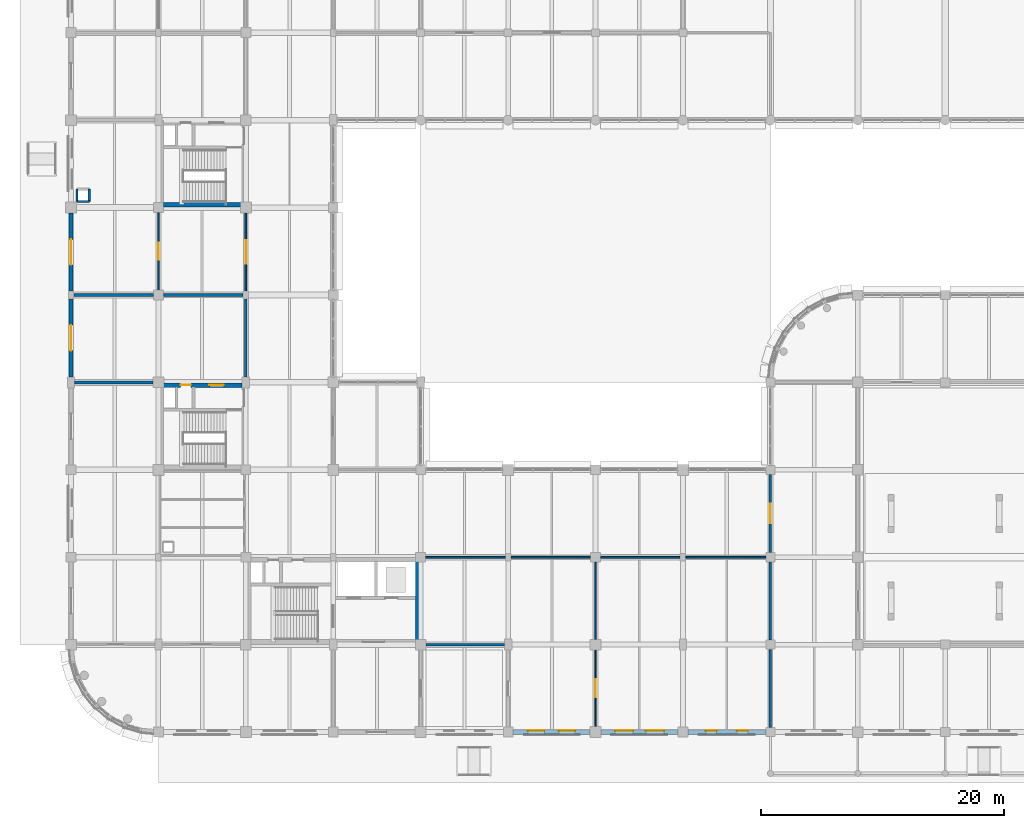
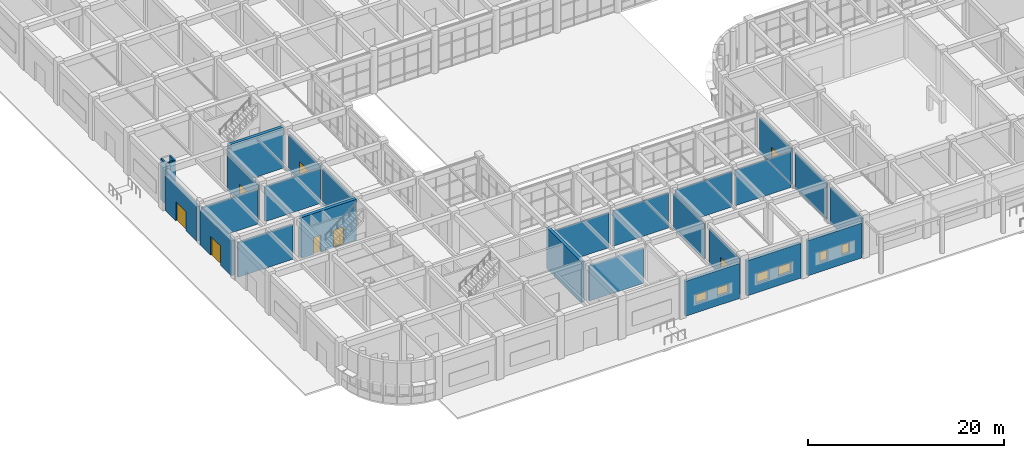
# One storey, part 135 of 160: 27 walls, 8 doors, 6 windows, 14 openings.
"""IFC4 building model written with IfcOpenShell, lengths in metres."""

from ifc_helpers import new_model, si_unit, direction, frame, frame_2d, origin, place, context, subcontext, project, spatial, rectangle, extrude, material, layer, layer_set, type_object, element, fill, save


model = new_model("IFC4")

# Units and contexts
model_context = context("Model", 3, precision=1e-05, world=origin(), true_north=direction((0.0, 1.0)))
body_context = subcontext(model_context, "Body", "Model", "MODEL_VIEW")
ifc_project = project(units=[si_unit("LENGTHUNIT", "METRE"), si_unit("AREAUNIT", "SQUARE_METRE"), si_unit("VOLUMEUNIT", "CUBIC_METRE"), si_unit("PLANEANGLEUNIT", "RADIAN"), si_unit("MASSUNIT", "GRAM", prefix="KILO")], contexts=[model_context])

# Site, building, storey
site_placement = place(None, origin())
site = spatial("IfcSite", under=ifc_project, at=site_placement, CompositionType="ELEMENT")
building_placement = place(site_placement, origin())
building = spatial("IfcBuilding", under=site, at=building_placement, Name="Thalmaran Polytechnic", CompositionType="ELEMENT")
storey_placement = place(building_placement, origin())
storey = spatial("IfcBuildingStorey", under=building, at=storey_placement, Name="L00", CompositionType="ELEMENT", Elevation=0.0)

# Wall, opening, door
ifc_material_1 = material(Name="Precast concrete C40/50", Category="concrete")
ifc_layer_1 = layer(ifc_material_1, 0.360107421875, Name="Precast concrete C40/50")
ifc_layer_set_1 = layer_set([ifc_layer_1], Name="Precast concrete C40/50")
wall_type_1 = type_object("IfcWallType", Name="WL-EW01", PredefinedType="STANDARD", material=ifc_layer_set_1)
wall_1_placement = place(storey_placement, frame((0.0, 29.25, 0.0), z_axis=(0.0, 0.0, 1.0), x_axis=(0.0, 1.0, 0.0)))
wall_1 = element("IfcWall", 1, at=wall_1_placement, inside=storey, type_object=wall_type_1, Name="Ground Entrance Portal Wall L00-005", PredefinedType="STANDARD", context=body_context, shape_type="SweptSolid", body=[
    extrude(rectangle(XDim=6.425048828125, YDim=0.360107421875, at=frame_2d((3.21240234375, 0.0))), origin(), (0.0, 0.0, 1.0), 4.3349609375),
])
opening_1_placement = place(wall_1_placement, frame((2.16259765625, 0.0, 0.0)))
opening_1 = element("IfcOpeningElement", 2, at=opening_1_placement, cuts=wall_1, Name="Opening ED-26", PredefinedType="OPENING", context=body_context, shape_type="SweptSolid", body=[
    extrude(rectangle(XDim=2.10009765625, YDim=2.39990234375, at=frame_2d((1.050048828125, 1.199951171875))), frame((0.0, 0.18994140625, 0.0), z_axis=(0.0, -1.0, 0.0), x_axis=(1.0, 0.0, 0.0)), (0.0, 0.0, 1.0), 0.380126953125),
])
ifc_material_2 = material(Name="Anodised aluminium and safety glass", Category="aluminium")
door_type_1 = type_object("IfcDoorType", Name="DR-ED01", OperationType="NOTDEFINED", PredefinedType="DOOR", material=ifc_material_2)
door_1_placement = place(opening_1_placement, origin())
door_1 = element("IfcDoor", 3, at=door_1_placement, inside=storey, type_object=door_type_1, Name="Pedestrian Final Exit Door ED-26", OperationType="DOUBLE_DOOR_SINGLE_SWING", OverallHeight=2.39990234375, OverallWidth=2.10009765625, PredefinedType="DOOR", context=body_context, shape_type="SweptSolid", body=[
    extrude(rectangle(XDim=2.10009765625, YDim=2.39990234375, at=frame_2d((1.050048828125, 1.199951171875))), frame((0.0, 0.02490234375, 0.0), z_axis=(0.0, -1.0, 0.0), x_axis=(1.0, 0.0, 0.0)), (0.0, 0.0, 1.0), 0.050048828125),
])
fill(opening_1, door_1)

wall_2_placement = place(storey_placement, frame((0.0, 36.324951171875, 0.0), z_axis=(0.0, 0.0, 1.0), x_axis=(0.0, 1.0, 0.0)))
wall_2 = element("IfcWall", 4, at=wall_2_placement, inside=storey, type_object=wall_type_1, Name="Ground Entrance Portal Wall L00-006", PredefinedType="STANDARD", context=body_context, shape_type="SweptSolid", body=[
    extrude(rectangle(XDim=6.425048828125, YDim=0.360107421875, at=frame_2d((3.21240234375, 0.0))), origin(), (0.0, 0.0, 1.0), 4.3349609375),
])
opening_2_placement = place(wall_2_placement, frame((2.16259765625, 0.0, 0.0)))
opening_2 = element("IfcOpeningElement", 5, at=opening_2_placement, cuts=wall_2, Name="Opening ED-03", PredefinedType="OPENING", context=body_context, shape_type="SweptSolid", body=[
    extrude(rectangle(XDim=2.10009765625, YDim=2.39990234375, at=frame_2d((1.050048828125, 1.199951171875))), frame((0.0, 0.18994140625, 0.0), z_axis=(0.0, -1.0, 0.0), x_axis=(1.0, 0.0, 0.0)), (0.0, 0.0, 1.0), 0.380126953125),
])
door_2_placement = place(opening_2_placement, origin())
door_2 = element("IfcDoor", 6, at=door_2_placement, inside=storey, type_object=door_type_1, Name="Pedestrian Final Exit Door ED-03", OperationType="DOUBLE_DOOR_SINGLE_SWING", OverallHeight=2.39990234375, OverallWidth=2.10009765625, PredefinedType="DOOR", context=body_context, shape_type="SweptSolid", body=[
    extrude(rectangle(XDim=2.10009765625, YDim=2.39990234375, at=frame_2d((1.050048828125, 1.199951171875))), frame((0.0, 0.02490234375, 0.0), z_axis=(0.0, -1.0, 0.0), x_axis=(1.0, 0.0, 0.0)), (0.0, 0.0, 1.0), 0.050048828125),
])
fill(opening_2, door_2)

# Wall, openings, windows
wall_3_placement = place(storey_placement, frame((57.22509765625, 0.0, 0.0), z_axis=(0.0, 0.0, 1.0), x_axis=(-1.0, 0.0, 0.0)))
wall_3 = element("IfcWall", 7, at=wall_3_placement, inside=storey, type_object=wall_type_1, Name="Exterior Precast Facade Wall L00-085", PredefinedType="STANDARD", context=body_context, shape_type="SweptSolid", body=[
    extrude(rectangle(XDim=6.425048828125, YDim=0.360107421875, at=frame_2d((3.21240234375, 0.0))), origin(), (0.0, 0.0, 1.0), 4.3701171875),
])
opening_3_placement = place(wall_3_placement, frame((1.4775390625, 0.0, 1.14990234375)))
opening_3 = element("IfcOpeningElement", 8, at=opening_3_placement, cuts=wall_3, Name="Opening PW13", PredefinedType="OPENING", context=body_context, shape_type="SweptSolid", body=[
    extrude(rectangle(XDim=0.89990234375, YDim=1.300048828125, at=frame_2d((0.449951171875, 0.64990234375))), frame((0.0, 0.18994140625, 0.0), z_axis=(0.0, -1.0, 0.0), x_axis=(1.0, 0.0, 0.0)), (0.0, 0.0, 1.0), 0.380126953125),
])
opening_4_placement = place(wall_3_placement, frame((4.047607421875, 0.0, 1.14990234375)))
opening_4 = element("IfcOpeningElement", 9, at=opening_4_placement, cuts=wall_3, Name="Opening PW13", PredefinedType="OPENING", context=body_context, shape_type="SweptSolid", body=[
    extrude(rectangle(XDim=0.89990234375, YDim=1.300048828125, at=frame_2d((0.449951171875, 0.64990234375))), frame((0.0, 0.18994140625, 0.0), z_axis=(0.0, -1.0, 0.0), x_axis=(1.0, 0.0, 0.0)), (0.0, 0.0, 1.0), 0.380126953125),
])
ifc_material_3 = material(Name="Thermally broken aluminium and double low-E glass", Category="aluminium")
window_type_1 = type_object("IfcWindowType", Name="WN-PW03", PartitioningType="SINGLE_PANEL", PredefinedType="WINDOW", material=ifc_material_3)
window_1_placement = place(opening_3_placement, origin())
window_1 = element("IfcWindow", 10, at=window_1_placement, inside=storey, type_object=window_type_1, Name="Deep-Set Solar-Screened Window W-0048", OverallHeight=1.300048828125, OverallWidth=0.89990234375, PartitioningType="SINGLE_PANEL", PredefinedType="WINDOW", context=body_context, shape_type="SweptSolid", body=[
    extrude(rectangle(XDim=0.89990234375, YDim=1.300048828125, at=frame_2d((0.449951171875, 0.64990234375))), frame((0.0, -0.080078125, 0.0), z_axis=(0.0, -1.0, 0.0), x_axis=(1.0, 0.0, 0.0)), (0.0, 0.0, 1.0), 0.06005859375),
])
fill(opening_3, window_1)
window_2_placement = place(opening_4_placement, origin())
window_2 = element("IfcWindow", 11, at=window_2_placement, inside=storey, type_object=window_type_1, Name="Deep-Set Solar-Screened Window W-0049", OverallHeight=1.300048828125, OverallWidth=0.89990234375, PartitioningType="SINGLE_PANEL", PredefinedType="WINDOW", context=body_context, shape_type="SweptSolid", body=[
    extrude(rectangle(XDim=0.89990234375, YDim=1.300048828125, at=frame_2d((0.449951171875, 0.64990234375))), frame((0.0, -0.080078125, 0.0), z_axis=(0.0, -1.0, 0.0), x_axis=(1.0, 0.0, 0.0)), (0.0, 0.0, 1.0), 0.06005859375),
])
fill(opening_4, window_2)

wall_4_placement = place(storey_placement, frame((50.0, 0.0, 0.0), z_axis=(0.0, 0.0, 1.0), x_axis=(-1.0, 0.0, 0.0)))
wall_4 = element("IfcWall", 12, at=wall_4_placement, inside=storey, type_object=wall_type_1, Name="Exterior Precast Facade Wall L00-086", PredefinedType="STANDARD", context=body_context, shape_type="SweptSolid", body=[
    extrude(rectangle(XDim=6.35009765625, YDim=0.360107421875, at=frame_2d((3.175048828125, 0.0))), origin(), (0.0, 0.0, 1.0), 4.3701171875),
])
opening_5_placement = place(wall_4_placement, frame((1.155029296875, 0.0, 1.14990234375)))
opening_5 = element("IfcOpeningElement", 13, at=opening_5_placement, cuts=wall_4, Name="Opening PW14", PredefinedType="OPENING", context=body_context, shape_type="SweptSolid", body=[
    extrude(rectangle(XDim=1.5, YDim=1.199951171875, at=frame_2d((0.75, 0.60009765625))), frame((0.0, 0.18994140625, 0.0), z_axis=(0.0, -1.0, 0.0), x_axis=(1.0, 0.0, 0.0)), (0.0, 0.0, 1.0), 0.380126953125),
])
opening_6_placement = place(wall_4_placement, frame((3.695068359375, 0.0, 1.14990234375)))
opening_6 = element("IfcOpeningElement", 14, at=opening_6_placement, cuts=wall_4, Name="Opening PW14", PredefinedType="OPENING", context=body_context, shape_type="SweptSolid", body=[
    extrude(rectangle(XDim=1.5, YDim=1.199951171875, at=frame_2d((0.75, 0.60009765625))), frame((0.0, 0.18994140625, 0.0), z_axis=(0.0, -1.0, 0.0), x_axis=(1.0, 0.0, 0.0)), (0.0, 0.0, 1.0), 0.380126953125),
])
window_type_2 = type_object("IfcWindowType", Name="WN-PW04", PartitioningType="DOUBLE_PANEL_VERTICAL", PredefinedType="WINDOW", material=ifc_material_3)
window_3_placement = place(opening_5_placement, origin())
window_3 = element("IfcWindow", 15, at=window_3_placement, inside=storey, type_object=window_type_2, Name="Deep-Set Solar-Screened Window W-0050", OverallHeight=1.199951171875, OverallWidth=1.5, PartitioningType="SINGLE_PANEL", PredefinedType="WINDOW", context=body_context, shape_type="SweptSolid", body=[
    extrude(rectangle(XDim=1.5, YDim=1.199951171875, at=frame_2d((0.75, 0.60009765625))), frame((0.0, -0.080078125, 0.0), z_axis=(0.0, -1.0, 0.0), x_axis=(1.0, 0.0, 0.0)), (0.0, 0.0, 1.0), 0.06005859375),
])
fill(opening_5, window_3)
window_4_placement = place(opening_6_placement, origin())
window_4 = element("IfcWindow", 16, at=window_4_placement, inside=storey, type_object=window_type_2, Name="Deep-Set Solar-Screened Window W-0051", OverallHeight=1.199951171875, OverallWidth=1.5, PartitioningType="SINGLE_PANEL", PredefinedType="WINDOW", context=body_context, shape_type="SweptSolid", body=[
    extrude(rectangle(XDim=1.5, YDim=1.199951171875, at=frame_2d((0.75, 0.60009765625))), frame((0.0, -0.080078125, 0.0), z_axis=(0.0, -1.0, 0.0), x_axis=(1.0, 0.0, 0.0)), (0.0, 0.0, 1.0), 0.06005859375),
])
fill(opening_6, window_4)

wall_5_placement = place(storey_placement, frame((42.75, 0.0, 0.0), z_axis=(0.0, 0.0, 1.0), x_axis=(-1.0, 0.0, 0.0)))
wall_5 = element("IfcWall", 17, at=wall_5_placement, inside=storey, type_object=wall_type_1, Name="Exterior Precast Facade Wall L00-087", PredefinedType="STANDARD", context=body_context, shape_type="SweptSolid", body=[
    extrude(rectangle(XDim=6.35009765625, YDim=0.360107421875, at=frame_2d((3.175048828125, 0.0))), origin(), (0.0, 0.0, 1.0), 4.3701171875),
])
opening_7_placement = place(wall_5_placement, frame((1.22998046875, 0.0, 1.14990234375)))
opening_7 = element("IfcOpeningElement", 18, at=opening_7_placement, cuts=wall_5, Name="Opening PW15", PredefinedType="OPENING", context=body_context, shape_type="SweptSolid", body=[
    extrude(rectangle(XDim=1.35009765625, YDim=1.10009765625, at=frame_2d((0.675048828125, 0.550048828125))), frame((0.0, 0.18994140625, 0.0), z_axis=(0.0, -1.0, 0.0), x_axis=(1.0, 0.0, 0.0)), (0.0, 0.0, 1.0), 0.380126953125),
])
opening_8_placement = place(wall_5_placement, frame((3.77001953125, 0.0, 1.14990234375)))
opening_8 = element("IfcOpeningElement", 19, at=opening_8_placement, cuts=wall_5, Name="Opening PW15", PredefinedType="OPENING", context=body_context, shape_type="SweptSolid", body=[
    extrude(rectangle(XDim=1.35009765625, YDim=1.10009765625, at=frame_2d((0.675048828125, 0.550048828125))), frame((0.0, 0.18994140625, 0.0), z_axis=(0.0, -1.0, 0.0), x_axis=(1.0, 0.0, 0.0)), (0.0, 0.0, 1.0), 0.380126953125),
])
window_type_3 = type_object("IfcWindowType", Name="WN-PW05", PartitioningType="SINGLE_PANEL", PredefinedType="WINDOW", material=ifc_material_3)
window_5_placement = place(opening_7_placement, origin())
window_5 = element("IfcWindow", 20, at=window_5_placement, inside=storey, type_object=window_type_3, Name="Deep-Set Solar-Screened Window W-0052", OverallHeight=1.10009765625, OverallWidth=1.35009765625, PartitioningType="SINGLE_PANEL", PredefinedType="WINDOW", context=body_context, shape_type="SweptSolid", body=[
    extrude(rectangle(XDim=1.35009765625, YDim=1.10009765625, at=frame_2d((0.675048828125, 0.550048828125))), frame((0.0, -0.080078125, 0.0), z_axis=(0.0, -1.0, 0.0), x_axis=(1.0, 0.0, 0.0)), (0.0, 0.0, 1.0), 0.06005859375),
])
fill(opening_7, window_5)
window_6_placement = place(opening_8_placement, origin())
window_6 = element("IfcWindow", 21, at=window_6_placement, inside=storey, type_object=window_type_3, Name="Deep-Set Solar-Screened Window W-0053", OverallHeight=1.10009765625, OverallWidth=1.35009765625, PartitioningType="SINGLE_PANEL", PredefinedType="WINDOW", context=body_context, shape_type="SweptSolid", body=[
    extrude(rectangle(XDim=1.35009765625, YDim=1.10009765625, at=frame_2d((0.675048828125, 0.550048828125))), frame((0.0, -0.080078125, 0.0), z_axis=(0.0, -1.0, 0.0), x_axis=(1.0, 0.0, 0.0)), (0.0, 0.0, 1.0), 0.06005859375),
])
fill(opening_8, window_6)

# Walls
ifc_material_4 = material(Name="Autoclaved aerated masonry", Category="masonry")
ifc_layer_2 = layer(ifc_material_4, 0.22998046875, Name="Autoclaved aerated masonry")
ifc_layer_set_2 = layer_set([ifc_layer_2], Name="Autoclaved aerated masonry")
wall_type_2 = type_object("IfcWallType", Name="WL-IW02", PredefinedType="PARTITIONING", material=ifc_layer_set_2)
wall_6_placement = place(storey_placement, frame((0.304931640625, 28.800048828125, 0.0), z_axis=(0.0, 0.0, 1.0), x_axis=(1.0, 0.0, 0.0)))
element("IfcWall", 22, at=wall_6_placement, inside=storey, type_object=wall_type_2, Name="Interior Partition IW02 L00-002", PredefinedType="PARTITIONING", context=body_context, shape_type="SweptSolid", body=[
    extrude(rectangle(XDim=6.449951171875, YDim=0.22998046875, at=frame_2d((3.22509765625, 0.0))), origin(), (0.0, 0.0, 1.0), 4.31005859375),
])
wall_7_placement = place(storey_placement, frame((0.22998046875, 36.0, 0.0), z_axis=(0.0, 0.0, 1.0), x_axis=(1.0, 0.0, 0.0)))
element("IfcWall", 23, at=wall_7_placement, inside=storey, type_object=wall_type_2, Name="Interior Partition IW02 L00-003", PredefinedType="PARTITIONING", context=body_context, shape_type="SweptSolid", body=[
    extrude(rectangle(XDim=6.554931640625, YDim=0.22998046875, at=frame_2d((3.27734375, 0.0))), origin(), (0.0, 0.0, 1.0), 4.31005859375),
])
wall_8_placement = place(storey_placement, frame((14.39990234375, 29.2548828125, 0.0), z_axis=(0.0, 0.0, 1.0), x_axis=(0.0, 1.0, 0.0)))
element("IfcWall", 24, at=wall_8_placement, inside=storey, type_object=wall_type_2, Name="Interior Partition IW02 L00-015", PredefinedType="PARTITIONING", context=body_context, shape_type="SweptSolid", body=[
    extrude(rectangle(XDim=6.4150390625, YDim=0.22998046875, at=frame_2d((3.20751953125, 0.0))), origin(), (0.0, 0.0, 1.0), 4.39501953125),
])
wall_9_placement = place(storey_placement, frame((7.614990234375, 36.0, 0.0), z_axis=(0.0, 0.0, 1.0), x_axis=(1.0, 0.0, 0.0)))
element("IfcWall", 25, at=wall_9_placement, inside=storey, type_object=wall_type_2, Name="Interior Partition IW02 L00-016", PredefinedType="PARTITIONING", context=body_context, shape_type="SweptSolid", body=[
    extrude(rectangle(XDim=6.554931640625, YDim=0.22998046875, at=frame_2d((3.27734375, 0.0))), origin(), (0.0, 0.0, 1.0), 4.340087890625),
])
wall_10_placement = place(storey_placement, frame((29.2451171875, 7.199951171875, 0.0), z_axis=(0.0, 0.0, 1.0), x_axis=(1.0, 0.0, 0.0)))
element("IfcWall", 26, at=wall_10_placement, inside=storey, type_object=wall_type_2, Name="Interior Partition IW02 L00-045", PredefinedType="PARTITIONING", context=body_context, shape_type="SweptSolid", body=[
    extrude(rectangle(XDim=6.449951171875, YDim=0.22998046875, at=frame_2d((3.22509765625, 0.0))), origin(), (0.0, 0.0, 1.0), 4.3701171875),
])
ifc_layer_3 = layer(ifc_material_4, 0.2099609375, Name="Autoclaved aerated masonry")
ifc_layer_set_3 = layer_set([ifc_layer_3], Name="Autoclaved aerated masonry")
wall_type_3 = type_object("IfcWallType", Name="WL-IW03", PredefinedType="PARTITIONING", material=ifc_layer_set_3)
wall_11_placement = place(storey_placement, frame((57.60009765625, 0.3798828125, 0.0), z_axis=(0.0, 0.0, 1.0), x_axis=(0.0, 1.0, 0.0)))
element("IfcWall", 27, at=wall_11_placement, inside=storey, type_object=wall_type_3, Name="Interior Partition IW03 L00-064", PredefinedType="PARTITIONING", context=body_context, shape_type="SweptSolid", body=[
    extrude(rectangle(XDim=6.440185546875, YDim=0.2099609375, at=frame_2d((3.22021484375, 0.0))), origin(), (0.0, 0.0, 1.0), 4.455078125),
])
wall_12_placement = place(storey_placement, frame((57.60009765625, 7.580078125, 0.0), z_axis=(0.0, 0.0, 1.0), x_axis=(0.0, 1.0, 0.0)))
element("IfcWall", 28, at=wall_12_placement, inside=storey, type_object=wall_type_3, Name="Interior Partition IW03 L00-065", PredefinedType="PARTITIONING", context=body_context, shape_type="SweptSolid", body=[
    extrude(rectangle(XDim=6.43994140625, YDim=0.2099609375, at=frame_2d((3.219970703125, 0.0))), origin(), (0.0, 0.0, 1.0), 4.405029296875),
])

# Wall, opening, door
wall_13_placement = place(storey_placement, frame((57.60009765625, 14.780029296875, 0.0), z_axis=(0.0, 0.0, 1.0), x_axis=(0.0, 1.0, 0.0)))
wall_13 = element("IfcWall", 29, at=wall_13_placement, inside=storey, type_object=wall_type_3, Name="Interior Partition IW03 L00-067", PredefinedType="PARTITIONING", context=body_context, shape_type="SweptSolid", body=[
    extrude(rectangle(XDim=6.43994140625, YDim=0.2099609375, at=frame_2d((3.219970703125, 0.0))), origin(), (0.0, 0.0, 1.0), 4.405029296875),
])
opening_9_placement = place(wall_13_placement, frame((2.419921875, 0.0, 0.0)))
opening_9 = element("IfcOpeningElement", 30, at=opening_9_placement, cuts=wall_13, Name="Opening D-L00-006-3S-9-1", PredefinedType="OPENING", context=body_context, shape_type="SweptSolid", body=[
    extrude(rectangle(XDim=1.60009765625, YDim=2.199951171875, at=frame_2d((0.800048828125, 1.10009765625))), frame((0.0, 0.114990234375, 0.0), z_axis=(0.0, -1.0, 0.0), x_axis=(1.0, 0.0, 0.0)), (0.0, 0.0, 1.0), 0.22998046875),
])
ifc_material_5 = material(Name="Powder-coated fire-rated steel", Category="steel")
door_type_2 = type_object("IfcDoorType", Name="DR-FD05", OperationType="NOTDEFINED", PredefinedType="DOOR", material=ifc_material_5)
door_3_placement = place(opening_9_placement, origin())
door_3 = element("IfcDoor", 31, at=door_3_placement, inside=storey, type_object=door_type_2, Name="Lecture Theatre 3 (190 Seats) Door 1", OperationType="DOUBLE_DOOR_SINGLE_SWING", OverallHeight=2.199951171875, OverallWidth=1.60009765625, PredefinedType="DOOR", context=body_context, shape_type="SweptSolid", body=[
    extrude(rectangle(XDim=1.60009765625, YDim=2.199951171875, at=frame_2d((0.800048828125, 1.10009765625))), frame((0.0, 0.02490234375, 0.0), z_axis=(0.0, -1.0, 0.0), x_axis=(1.0, 0.0, 0.0)), (0.0, 0.0, 1.0), 0.050048828125),
])
fill(opening_9, door_3)

# Walls
ifc_layer_4 = layer(ifc_material_4, 0.179931640625, Name="Autoclaved aerated masonry")
ifc_layer_set_4 = layer_set([ifc_layer_4], Name="Autoclaved aerated masonry")
wall_type_4 = type_object("IfcWallType", Name="WL-IW04", PredefinedType="PARTITIONING", material=ifc_layer_set_4)
for number, where, z_axis, x_axis, name in (
    (32, (0.489990234375, 43.68994140625, 0.0), (0.0, 0.0, 1.0), (1.0, 0.0, 0.0), "Fume Exhaust Riser Shaft Wall L00 (0,6)-S"),
    (33, (1.510009765625, 43.68994140625, 0.0), (0.0, 0.0, 1.0), (0.0, 1.0, 0.0), "Fume Exhaust Riser Shaft Wall L00 (0,6)-E"),
    (34, (0.489990234375, 44.7099609375, 0.0), (0.0, 0.0, 1.0), (0.0, -1.0, 0.0), "Fume Exhaust Riser Shaft Wall L00 (0,6)-W"),
):
    element("IfcWall", number, at=place(storey_placement, frame(where, z_axis=z_axis, x_axis=x_axis)), inside=storey, type_object=wall_type_4, Name=name, PredefinedType="PARTITIONING", context=body_context, shape_type="SweptSolid", body=[
        extrude(rectangle(XDim=1.02001953125, YDim=0.179931640625, at=frame_2d((0.510009765625, 0.0))), origin(), (0.0, 0.0, 1.0), 5.090087890625),
    ])

# Wall, opening, door
ifc_material_6 = material(Name="Gypsum acoustic partition")
ifc_layer_5 = layer(ifc_material_6, 0.14501953125, Name="Gypsum acoustic partition")
ifc_layer_set_5 = layer_set([ifc_layer_5], Name="Gypsum acoustic partition")
wall_type_5 = type_object("IfcWallType", Name="WL-IW06", PredefinedType="PARTITIONING", material=ifc_layer_set_5)
wall_14_placement = place(storey_placement, frame((14.39990234375, 36.330078125, 0.0), z_axis=(0.0, 0.0, 1.0), x_axis=(0.0, 1.0, 0.0)))
wall_14 = element("IfcWall", 35, at=wall_14_placement, inside=storey, type_object=wall_type_5, Name="Interior Partition IW06 L00-017", PredefinedType="PARTITIONING", context=body_context, shape_type="SweptSolid", body=[
    extrude(rectangle(XDim=6.4150390625, YDim=0.14501953125, at=frame_2d((3.20751953125, 0.0))), origin(), (0.0, 0.0, 1.0), 4.39501953125),
])
opening_10_placement = place(wall_14_placement, frame((2.24755859375, 0.0, 0.0)))
opening_10 = element("IfcOpeningElement", 36, at=opening_10_placement, cuts=wall_14, Name="Opening D-L00-019-1-06-1", PredefinedType="OPENING", context=body_context, shape_type="SweptSolid", body=[
    extrude(rectangle(XDim=1.919921875, YDim=2.35009765625, at=frame_2d((0.9599609375, 1.175048828125))), frame((0.0, 0.08251953125, 0.0), z_axis=(0.0, -1.0, 0.0), x_axis=(1.0, 0.0, 0.0)), (0.0, 0.0, 1.0), 0.1650390625),
])
ifc_material_7 = material(Name="Acoustic hardwood and vision glass", Category="wood")
door_type_3 = type_object("IfcDoorType", Name="DR-ZD01", OperationType="NOTDEFINED", PredefinedType="DOOR", material=ifc_material_7)
door_4_placement = place(opening_10_placement, origin())
door_4 = element("IfcDoor", 37, at=door_4_placement, inside=storey, type_object=door_type_3, Name="Structural Models Design Studio L00-06 Door 1", OperationType="SINGLE_SWING_RIGHT", OverallHeight=2.35009765625, OverallWidth=1.919921875, PredefinedType="DOOR", context=body_context, shape_type="SweptSolid", body=[
    extrude(rectangle(XDim=1.919921875, YDim=2.35009765625, at=frame_2d((0.9599609375, 1.175048828125))), frame((0.0, 0.02490234375, 0.0), z_axis=(0.0, -1.0, 0.0), x_axis=(1.0, 0.0, 0.0)), (0.0, 0.0, 1.0), 0.050048828125),
])
fill(opening_10, door_4)

# Walls
wall_15_placement = place(storey_placement, frame((29.215087890625, 14.39990234375, 0.0), z_axis=(0.0, 0.0, 1.0), x_axis=(1.0, 0.0, 0.0)))
element("IfcWall", 38, at=wall_15_placement, inside=storey, type_object=wall_type_5, Name="Interior Partition IW06 L00-046", PredefinedType="PARTITIONING", context=body_context, shape_type="SweptSolid", body=[
    extrude(rectangle(XDim=6.554931640625, YDim=0.14501953125, at=frame_2d((3.27734375, 0.0))), origin(), (0.0, 0.0, 1.0), 4.3701171875),
])
wall_16_placement = place(storey_placement, frame((36.22998046875, 14.39990234375, 0.0), z_axis=(0.0, 0.0, 1.0), x_axis=(1.0, 0.0, 0.0)))
element("IfcWall", 39, at=wall_16_placement, inside=storey, type_object=wall_type_5, Name="Interior Partition IW06 L00-051", PredefinedType="PARTITIONING", context=body_context, shape_type="SweptSolid", body=[
    extrude(rectangle(XDim=6.554931640625, YDim=0.14501953125, at=frame_2d((3.27734375, 0.0))), origin(), (0.0, 0.0, 1.0), 4.389892578125),
])
wall_17_placement = place(storey_placement, frame((43.614990234375, 14.39990234375, 0.0), z_axis=(0.0, 0.0, 1.0), x_axis=(1.0, 0.0, 0.0)))
element("IfcWall", 40, at=wall_17_placement, inside=storey, type_object=wall_type_5, Name="Interior Partition IW06 L00-056", PredefinedType="PARTITIONING", context=body_context, shape_type="SweptSolid", body=[
    extrude(rectangle(XDim=6.554931640625, YDim=0.14501953125, at=frame_2d((3.27734375, 0.0))), origin(), (0.0, 0.0, 1.0), 4.429931640625),
])
wall_18_placement = place(storey_placement, frame((50.6298828125, 14.39990234375, 0.0), z_axis=(0.0, 0.0, 1.0), x_axis=(1.0, 0.0, 0.0)))
element("IfcWall", 41, at=wall_18_placement, inside=storey, type_object=wall_type_5, Name="Interior Partition IW06 L00-066", PredefinedType="PARTITIONING", context=body_context, shape_type="SweptSolid", body=[
    extrude(rectangle(XDim=6.590087890625, YDim=0.14501953125, at=frame_2d((3.294921875, 0.0))), origin(), (0.0, 0.0, 1.0), 4.43994140625),
])

# Wall, opening, door
ifc_layer_6 = layer(ifc_material_6, 0.1298828125, Name="Gypsum acoustic partition")
ifc_layer_set_6 = layer_set([ifc_layer_6], Name="Gypsum acoustic partition")
wall_type_6 = type_object("IfcWallType", Name="WL-IW07", PredefinedType="PARTITIONING", material=ifc_layer_set_6)
wall_19_placement = place(storey_placement, frame((7.199951171875, 36.4150390625, 0.0), z_axis=(0.0, 0.0, 1.0), x_axis=(0.0, 1.0, 0.0)))
wall_19 = element("IfcWall", 42, at=wall_19_placement, inside=storey, type_object=wall_type_6, Name="Interior Partition IW07 L00-004", PredefinedType="PARTITIONING", context=body_context, shape_type="SweptSolid", body=[
    extrude(rectangle(XDim=6.3798828125, YDim=0.1298828125, at=frame_2d((3.18994140625, 0.0))), origin(), (0.0, 0.0, 1.0), 4.39501953125),
])
opening_11_placement = place(wall_19_placement, frame((2.5, 0.0, 0.0)))
opening_11 = element("IfcOpeningElement", 43, at=opening_11_placement, cuts=wall_19, Name="Opening D-L00-049-1-02-1", PredefinedType="OPENING", context=body_context, shape_type="SweptSolid", body=[
    extrude(rectangle(XDim=1.3798828125, YDim=2.219970703125, at=frame_2d((0.68994140625, 1.10986328125))), frame((0.0, 0.074951171875, 0.0), z_axis=(0.0, -1.0, 0.0), x_axis=(1.0, 0.0, 0.0)), (0.0, 0.0, 1.0), 0.14990234375),
])
door_type_4 = type_object("IfcDoorType", Name="DR-ZD04", OperationType="NOTDEFINED", PredefinedType="DOOR", material=ifc_material_7)
door_5_placement = place(opening_11_placement, origin())
door_5 = element("IfcDoor", 44, at=door_5_placement, inside=storey, type_object=door_type_4, Name="Materials Testing Laboratory L00-02 Door 1", OperationType="SINGLE_SWING_LEFT", OverallHeight=2.219970703125, OverallWidth=1.3798828125, PredefinedType="DOOR", context=body_context, shape_type="SweptSolid", body=[
    extrude(rectangle(XDim=1.3798828125, YDim=2.219970703125, at=frame_2d((0.68994140625, 1.10986328125))), frame((0.0, 0.02490234375, 0.0), z_axis=(0.0, -1.0, 0.0), x_axis=(1.0, 0.0, 0.0)), (0.0, 0.0, 1.0), 0.050048828125),
])
fill(opening_11, door_5)

# Wall
wall_20_placement = place(storey_placement, frame((43.199951171875, 7.64501953125, 0.0), z_axis=(0.0, 0.0, 1.0), x_axis=(0.0, 1.0, 0.0)))
element("IfcWall", 45, at=wall_20_placement, inside=storey, type_object=wall_type_6, Name="Interior Partition IW07 L00-050", PredefinedType="PARTITIONING", context=body_context, shape_type="SweptSolid", body=[
    extrude(rectangle(XDim=6.340087890625, YDim=0.1298828125, at=frame_2d((3.169921875, 0.0))), origin(), (0.0, 0.0, 1.0), 4.405029296875),
])

# Wall, opening, door
ifc_layer_7 = layer(ifc_material_6, 0.114990234375, Name="Gypsum acoustic partition")
ifc_layer_set_7 = layer_set([ifc_layer_7], Name="Gypsum acoustic partition")
wall_type_7 = type_object("IfcWallType", Name="WL-IW08", PredefinedType="PARTITIONING", material=ifc_layer_set_7)
wall_21_placement = place(storey_placement, frame((43.199951171875, 0.455078125, 0.0), z_axis=(0.0, 0.0, 1.0), x_axis=(0.0, 1.0, 0.0)))
wall_21 = element("IfcWall", 46, at=wall_21_placement, inside=storey, type_object=wall_type_7, Name="Interior Partition IW08 L00-049", PredefinedType="PARTITIONING", context=body_context, shape_type="SweptSolid", body=[
    extrude(rectangle(XDim=6.2998046875, YDim=0.114990234375, at=frame_2d((3.14990234375, 0.0))), origin(), (0.0, 0.0, 1.0), 4.455078125),
])
opening_12_placement = place(wall_21_placement, frame((2.409912109375, 0.0, 0.0)))
opening_12 = element("IfcOpeningElement", 47, at=opening_12_placement, cuts=wall_21, Name="Opening D-L00-024-1-11-1", PredefinedType="OPENING", context=body_context, shape_type="SweptSolid", body=[
    extrude(rectangle(XDim=1.47998046875, YDim=2.280029296875, at=frame_2d((0.739990234375, 1.14013671875))), frame((0.0, 0.0673828125, 0.0), z_axis=(0.0, -1.0, 0.0), x_axis=(1.0, 0.0, 0.0)), (0.0, 0.0, 1.0), 0.135009765625),
])
door_type_5 = type_object("IfcDoorType", Name="DR-ZD09", OperationType="NOTDEFINED", PredefinedType="DOOR", material=ifc_material_5)
door_6_placement = place(opening_12_placement, origin())
door_6 = element("IfcDoor", 48, at=door_6_placement, inside=storey, type_object=door_type_5, Name="Materials Testing Laboratory L00-11 Door 1", OperationType="SINGLE_SWING_LEFT", OverallHeight=2.280029296875, OverallWidth=1.47998046875, PredefinedType="DOOR", context=body_context, shape_type="SweptSolid", body=[
    extrude(rectangle(XDim=1.47998046875, YDim=2.280029296875, at=frame_2d((0.739990234375, 1.14013671875))), frame((0.0, 0.02490234375, 0.0), z_axis=(0.0, -1.0, 0.0), x_axis=(1.0, 0.0, 0.0)), (0.0, 0.0, 1.0), 0.050048828125),
])
fill(opening_12, door_6)

# Wall
ifc_material_8 = material(Name="Concrete C50/60", Category="concrete")
ifc_layer_8 = layer(ifc_material_8, 0.3798828125, Name="Concrete C50/60")
ifc_layer_set_8 = layer_set([ifc_layer_8], Name="Concrete C50/60")
wall_type_8 = type_object("IfcWallType", Name="WL-SW02", PredefinedType="SHEAR", material=ifc_layer_set_8)
wall_22_placement = place(storey_placement, frame((28.580078125, 7.22998046875, 0.0), z_axis=(0.0, 0.0, 1.0), x_axis=(0.0, 1.0, 0.0)))
element("IfcWall", 49, at=wall_22_placement, inside=storey, type_object=wall_type_8, Name="Core C1 Lobby East Shear Wall L00", PredefinedType="SHEAR", context=body_context, shape_type="SweptSolid", body=[
    extrude(rectangle(XDim=7.14013671875, YDim=0.3798828125, at=frame_2d((3.570068359375, 0.0))), origin(), (0.0, 0.0, 1.0), 5.090087890625),
])

# Wall, openings, doors
wall_23_placement = place(storey_placement, frame((7.610107421875, 28.580078125, 0.0), z_axis=(0.0, 0.0, 1.0), x_axis=(1.0, 0.0, 0.0)))
wall_23 = element("IfcWall", 50, at=wall_23_placement, inside=storey, type_object=wall_type_8, Name="Core C3 North Shear Wall L00", PredefinedType="SHEAR", context=body_context, shape_type="SweptSolid", body=[
    extrude(rectangle(XDim=6.4599609375, YDim=0.3798828125, at=frame_2d((3.22998046875, 0.0))), origin(), (0.0, 0.0, 1.0), 5.090087890625),
])
opening_13_placement = place(wall_23_placement, frame((1.419921875, 0.0, 0.0)))
opening_13 = element("IfcOpeningElement", 51, at=opening_13_placement, cuts=wall_23, Name="Opening DR-C3-L00-R", PredefinedType="OPENING", context=body_context, shape_type="SweptSolid", body=[
    extrude(rectangle(XDim=0.85009765625, YDim=2.10009765625, at=frame_2d((0.425048828125, 1.050048828125))), frame((0.0, 0.199951171875, 0.0), z_axis=(0.0, -1.0, 0.0), x_axis=(1.0, 0.0, 0.0)), (0.0, 0.0, 1.0), 0.39990234375),
])
opening_14_placement = place(wall_23_placement, frame((3.7900390625, 0.0, 0.0)))
opening_14 = element("IfcOpeningElement", 52, at=opening_14_placement, cuts=wall_23, Name="Opening XD-ST3-L00", PredefinedType="OPENING", context=body_context, shape_type="SweptSolid", body=[
    extrude(rectangle(XDim=1.199951171875, YDim=2.199951171875, at=frame_2d((0.60009765625, 1.10009765625))), frame((0.0, 0.199951171875, 0.0), z_axis=(0.0, -1.0, 0.0), x_axis=(1.0, 0.0, 0.0)), (0.0, 0.0, 1.0), 0.39990234375),
])
door_type_6 = type_object("IfcDoorType", Name="DR-FD04", OperationType="NOTDEFINED", PredefinedType="DOOR", material=ifc_material_5)
door_7_placement = place(opening_14_placement, origin())
door_7 = element("IfcDoor", 53, at=door_7_placement, inside=storey, type_object=door_type_6, Name="Exit Stair Discharge Door ST3 L00", OperationType="SINGLE_SWING_LEFT", OverallHeight=2.199951171875, OverallWidth=1.199951171875, PredefinedType="DOOR", context=body_context, shape_type="SweptSolid", body=[
    extrude(rectangle(XDim=1.199951171875, YDim=2.199951171875, at=frame_2d((0.60009765625, 1.10009765625))), frame((0.0, 0.02490234375, 0.0), z_axis=(0.0, -1.0, 0.0), x_axis=(1.0, 0.0, 0.0)), (0.0, 0.0, 1.0), 0.050048828125),
])
fill(opening_14, door_7)
door_type_7 = type_object("IfcDoorType", Name="DR-FD09", OperationType="NOTDEFINED", PredefinedType="DOOR", material=ifc_material_5)
door_8_placement = place(opening_13_placement, origin())
door_8 = element("IfcDoor", 54, at=door_8_placement, inside=storey, type_object=door_type_7, Name="Riser Access Fire Door C3 L00", OperationType="SINGLE_SWING_RIGHT", OverallHeight=2.10009765625, OverallWidth=0.85009765625, PredefinedType="DOOR", context=body_context, shape_type="SweptSolid", body=[
    extrude(rectangle(XDim=0.85009765625, YDim=2.10009765625, at=frame_2d((0.425048828125, 1.050048828125))), frame((0.0, 0.02490234375, 0.0), z_axis=(0.0, -1.0, 0.0), x_axis=(1.0, 0.0, 0.0)), (0.0, 0.0, 1.0), 0.050048828125),
])
fill(opening_13, door_8)

# Wall
wall_24_placement = place(storey_placement, frame((7.610107421875, 43.419921875, 0.0), z_axis=(0.0, 0.0, 1.0), x_axis=(1.0, 0.0, 0.0)))
element("IfcWall", 55, at=wall_24_placement, inside=storey, type_object=wall_type_8, Name="Core C4 South Shear Wall L00", PredefinedType="SHEAR", context=body_context, shape_type="SweptSolid", body=[
    extrude(rectangle(XDim=6.4599609375, YDim=0.3798828125, at=frame_2d((3.22998046875, 0.0))), origin(), (0.0, 0.0, 1.0), 5.090087890625),
])

save(model, "model.ifc")
